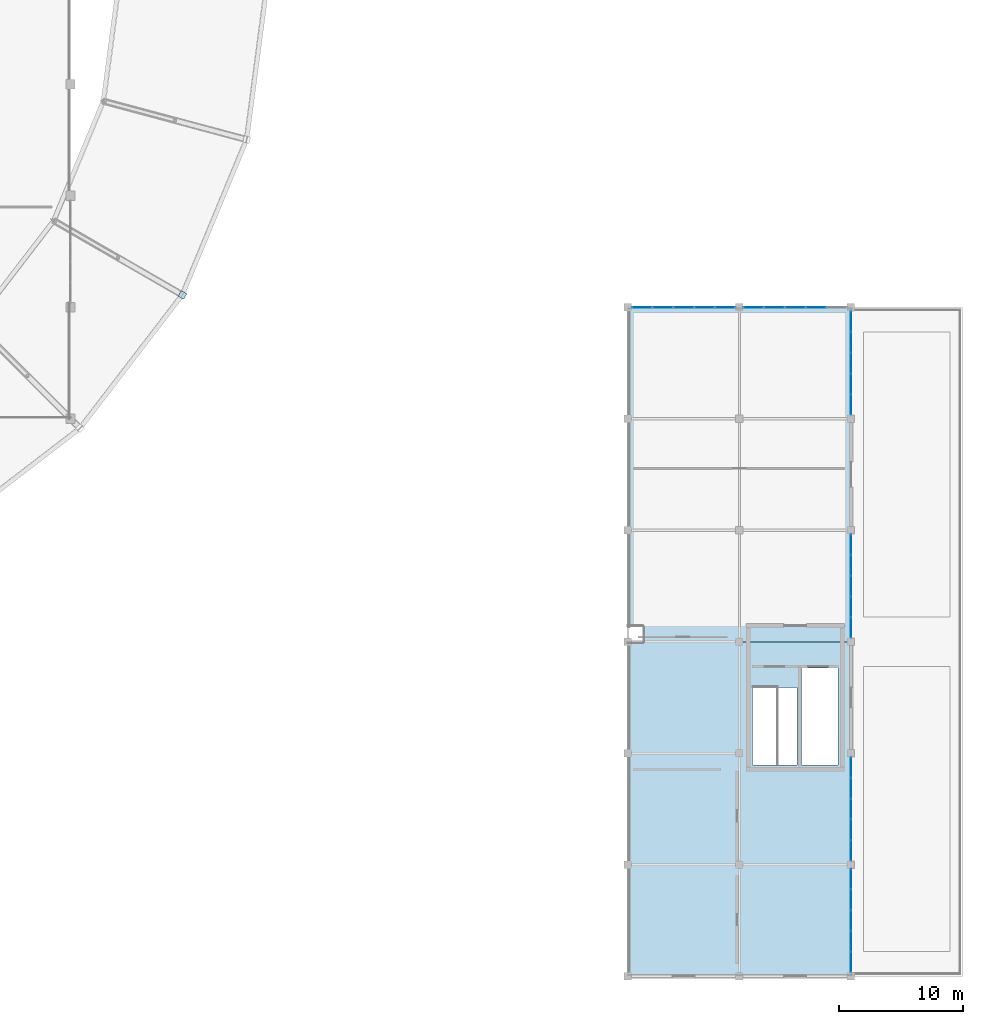
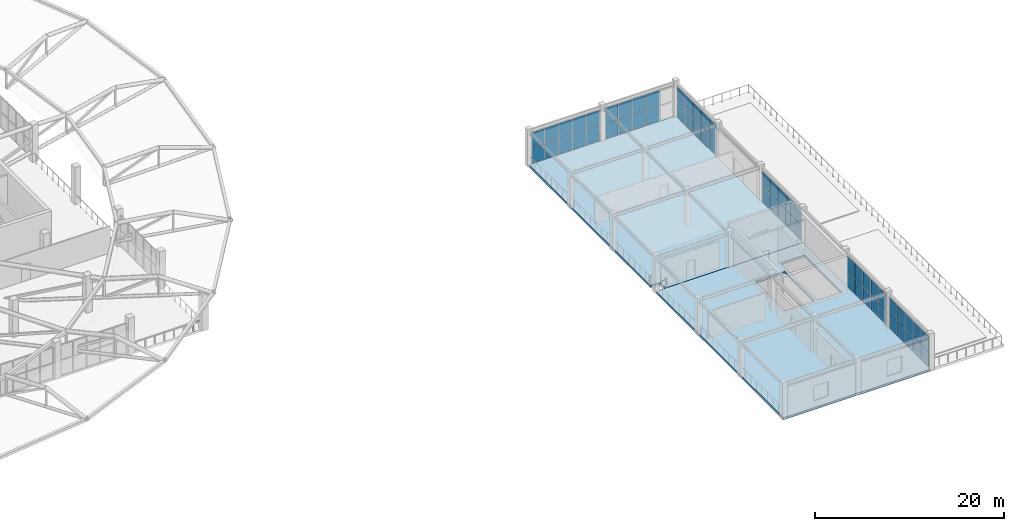
# One storey, part 121 of 167: 59 plates, 2 slabs, 6 elements without a shape of their own.
"""IFC4 building model written with IfcOpenShell, lengths in metres."""

from ifc_helpers import new_model, si_unit, direction, frame, origin, origin_2d, place, context, subcontext, project, spatial, polyline, rectangle, outline, extrude, material, layer, layer_set, type_object, element, aggregate, save


model = new_model("IFC4")

# Units and contexts
model_context = context("Model", 3, precision=1e-05, world=origin(), true_north=direction((0.0, 1.0)))
body_context = subcontext(model_context, "Body", "Model", "MODEL_VIEW")
ifc_project = project(units=[si_unit("LENGTHUNIT", "METRE"), si_unit("AREAUNIT", "SQUARE_METRE"), si_unit("VOLUMEUNIT", "CUBIC_METRE"), si_unit("PLANEANGLEUNIT", "RADIAN"), si_unit("MASSUNIT", "GRAM", prefix="KILO")], contexts=[model_context])

# Site, building, storey
site_placement = place(None, origin())
site = spatial("IfcSite", under=ifc_project, at=site_placement, CompositionType="ELEMENT")
building_placement = place(site_placement, origin())
building = spatial("IfcBuilding", under=site, at=building_placement, Name="Dornveld Trade and Exhibition Forum", CompositionType="ELEMENT")
storey_placement = place(building_placement, frame((0.0, 0.0, 16.800048828125)))
storey = spatial("IfcBuildingStorey", under=building, at=storey_placement, Name="L03", CompositionType="ELEMENT", Elevation=16.800048828125)

# Curtain wall, plates
ifc_material_1 = material(Name="Dark-bronze anodised aluminium and low-E glass", Category="aluminium")
ifc_layer_1 = layer(ifc_material_1, 0.1689453125)
ifc_layer_set_1 = layer_set([ifc_layer_1], Name="Dark-bronze anodised aluminium and low-E glass")
curtain_wall_type_1 = type_object("IfcCurtainWallType", Name="CW-SYS-09", PredefinedType="USERDEFINED", material=ifc_layer_set_1)
curtain_wall_1_placement = place(storey_placement, origin())
curtain_wall_1 = element("IfcCurtainWall", 1, at=curtain_wall_1_placement, inside=storey, type_object=curtain_wall_type_1, Name="L03 unitised curtain wall 81", ObjectType="UNITISED_CURTAIN_WALL", PredefinedType="USERDEFINED")
ifc_material_2 = material(Name="Double-glazed low-E solar control glass", Category="glass")
ifc_layer_2 = layer(ifc_material_2, 0.02587890625)
ifc_layer_set_2 = layer_set([ifc_layer_2], Name="Double-glazed low-E solar control glass")
plate_type_1 = type_object("IfcPlateType", Name="CW-PNL-01", PredefinedType="CURTAIN_PANEL", material=ifc_layer_set_2)
plate_1_placement = place(storey_placement, frame((216.0, 10.15185546875, 0.055908203125), z_axis=(0.0, 0.0, 1.0), x_axis=(0.0, 1.0, 0.0)))
plate_1 = element("IfcPlate", 2, at=plate_1_placement, type_object=plate_type_1, Name="CW-09 panel 1.1", PredefinedType="CURTAIN_PANEL", context=body_context, shape_type="SweptSolid", body=[
    extrude(rectangle(XDim=1.591552734375, YDim=0.02587890625, at=origin_2d()), origin(), (0.0, 0.0, 1.0), 1.94189453125),
])
plate_2_placement = place(storey_placement, frame((216.0, 10.15185546875, 2.05810546875), z_axis=(0.0, 0.0, 1.0), x_axis=(0.0, 1.0, 0.0)))
plate_2 = element("IfcPlate", 3, at=plate_2_placement, type_object=plate_type_1, Name="CW-09 panel 1.2", PredefinedType="CURTAIN_PANEL", context=body_context, shape_type="SweptSolid", body=[
    extrude(rectangle(XDim=1.591552734375, YDim=0.02587890625, at=origin_2d()), origin(), (0.0, 0.0, 1.0), 1.94189453125),
])
plate_3_placement = place(storey_placement, frame((216.0, 11.818359375, 0.055908203125), z_axis=(0.0, 0.0, 1.0), x_axis=(0.0, 1.0, 0.0)))
plate_3 = element("IfcPlate", 4, at=plate_3_placement, type_object=plate_type_1, Name="CW-09 panel 2.1", PredefinedType="CURTAIN_PANEL", context=body_context, shape_type="SweptSolid", body=[
    extrude(rectangle(XDim=1.62158203125, YDim=0.02587890625, at=origin_2d()), origin(), (0.0, 0.0, 1.0), 1.94189453125),
])
plate_4_placement = place(storey_placement, frame((216.0, 11.818359375, 2.05810546875), z_axis=(0.0, 0.0, 1.0), x_axis=(0.0, 1.0, 0.0)))
plate_4 = element("IfcPlate", 5, at=plate_4_placement, type_object=plate_type_1, Name="CW-09 panel 2.2", PredefinedType="CURTAIN_PANEL", context=body_context, shape_type="SweptSolid", body=[
    extrude(rectangle(XDim=1.62158203125, YDim=0.02587890625, at=origin_2d()), origin(), (0.0, 0.0, 1.0), 1.94189453125),
])
plate_5_placement = place(storey_placement, frame((216.0, 13.5, 0.055908203125), z_axis=(0.0, 0.0, 1.0), x_axis=(0.0, 1.0, 0.0)))
plate_5 = element("IfcPlate", 6, at=plate_5_placement, type_object=plate_type_1, Name="CW-09 panel 3.1", PredefinedType="CURTAIN_PANEL", context=body_context, shape_type="SweptSolid", body=[
    extrude(rectangle(XDim=1.62158203125, YDim=0.02587890625, at=origin_2d()), origin(), (0.0, 0.0, 1.0), 1.94189453125),
])
plate_6_placement = place(storey_placement, frame((216.0, 13.5, 2.05810546875), z_axis=(0.0, 0.0, 1.0), x_axis=(0.0, 1.0, 0.0)))
plate_6 = element("IfcPlate", 7, at=plate_6_placement, type_object=plate_type_1, Name="CW-09 panel 3.2", PredefinedType="CURTAIN_PANEL", context=body_context, shape_type="SweptSolid", body=[
    extrude(rectangle(XDim=1.62158203125, YDim=0.02587890625, at=origin_2d()), origin(), (0.0, 0.0, 1.0), 1.94189453125),
])
plate_7_placement = place(storey_placement, frame((216.0, 15.181640625, 0.055908203125), z_axis=(0.0, 0.0, 1.0), x_axis=(0.0, 1.0, 0.0)))
plate_7 = element("IfcPlate", 8, at=plate_7_placement, type_object=plate_type_1, Name="CW-09 panel 4.1", PredefinedType="CURTAIN_PANEL", context=body_context, shape_type="SweptSolid", body=[
    extrude(rectangle(XDim=1.62158203125, YDim=0.02587890625, at=origin_2d()), origin(), (0.0, 0.0, 1.0), 1.94189453125),
])
plate_8_placement = place(storey_placement, frame((216.0, 15.181640625, 2.05810546875), z_axis=(0.0, 0.0, 1.0), x_axis=(0.0, 1.0, 0.0)))
plate_8 = element("IfcPlate", 9, at=plate_8_placement, type_object=plate_type_1, Name="CW-09 panel 4.2", PredefinedType="CURTAIN_PANEL", context=body_context, shape_type="SweptSolid", body=[
    extrude(rectangle(XDim=1.62158203125, YDim=0.02587890625, at=origin_2d()), origin(), (0.0, 0.0, 1.0), 1.94189453125),
])
plate_9_placement = place(storey_placement, frame((216.0, 16.84814453125, 0.055908203125), z_axis=(0.0, 0.0, 1.0), x_axis=(0.0, 1.0, 0.0)))
plate_9 = element("IfcPlate", 10, at=plate_9_placement, type_object=plate_type_1, Name="CW-09 panel 5.1", PredefinedType="CURTAIN_PANEL", context=body_context, shape_type="SweptSolid", body=[
    extrude(rectangle(XDim=1.591552734375, YDim=0.02587890625, at=origin_2d()), origin(), (0.0, 0.0, 1.0), 1.94189453125),
])
plate_10_placement = place(storey_placement, frame((216.0, 16.84814453125, 2.05810546875), z_axis=(0.0, 0.0, 1.0), x_axis=(0.0, 1.0, 0.0)))
plate_10 = element("IfcPlate", 11, at=plate_10_placement, type_object=plate_type_1, Name="CW-09 panel 5.2", PredefinedType="CURTAIN_PANEL", context=body_context, shape_type="SweptSolid", body=[
    extrude(rectangle(XDim=1.591552734375, YDim=0.02587890625, at=origin_2d()), origin(), (0.0, 0.0, 1.0), 1.94189453125),
])
aggregate(curtain_wall_1, [plate_1, plate_2, plate_3, plate_4, plate_5, plate_6, plate_7, plate_8, plate_9, plate_10])

ifc_material_3 = material(Name="Dark-bronze anodised aluminium and low-E glass", Category="aluminium")
ifc_layer_3 = layer(ifc_material_3, 0.172119140625)
ifc_layer_set_3 = layer_set([ifc_layer_3], Name="Dark-bronze anodised aluminium and low-E glass")
curtain_wall_type_2 = type_object("IfcCurtainWallType", Name="CW-SYS-10", PredefinedType="USERDEFINED", material=ifc_layer_set_3)
curtain_wall_2_placement = place(storey_placement, origin())
curtain_wall_2 = element("IfcCurtainWall", 12, at=curtain_wall_2_placement, inside=storey, type_object=curtain_wall_type_2, Name="L03 unitised curtain wall 82", ObjectType="UNITISED_CURTAIN_WALL", PredefinedType="USERDEFINED")
ifc_material_4 = material(Name="Double-glazed low-E solar control glass", Category="glass")
ifc_layer_4 = layer(ifc_material_4, 0.028076171875)
ifc_layer_set_4 = layer_set([ifc_layer_4], Name="Double-glazed low-E solar control glass")
plate_type_2 = type_object("IfcPlateType", Name="CW-PNL-02", PredefinedType="CURTAIN_PANEL", material=ifc_layer_set_4)
plate_11_placement = place(storey_placement, frame((216.0, 28.15185546875, 0.055908203125), z_axis=(0.0, 0.0, 1.0), x_axis=(0.0, 1.0, 0.0)))
plate_11 = element("IfcPlate", 13, at=plate_11_placement, type_object=plate_type_2, Name="CW-10 panel 1.1", PredefinedType="CURTAIN_PANEL", context=body_context, shape_type="SweptSolid", body=[
    extrude(rectangle(XDim=1.591552734375, YDim=0.028076171875, at=origin_2d()), origin(), (0.0, 0.0, 1.0), 1.94189453125),
])
plate_12_placement = place(storey_placement, frame((216.0, 28.15185546875, 2.05810546875), z_axis=(0.0, 0.0, 1.0), x_axis=(0.0, 1.0, 0.0)))
plate_12 = element("IfcPlate", 14, at=plate_12_placement, type_object=plate_type_2, Name="CW-10 panel 1.2", PredefinedType="CURTAIN_PANEL", context=body_context, shape_type="SweptSolid", body=[
    extrude(rectangle(XDim=1.591552734375, YDim=0.028076171875, at=origin_2d()), origin(), (0.0, 0.0, 1.0), 1.94189453125),
])
plate_13_placement = place(storey_placement, frame((216.0, 29.818359375, 0.055908203125), z_axis=(0.0, 0.0, 1.0), x_axis=(0.0, 1.0, 0.0)))
plate_13 = element("IfcPlate", 15, at=plate_13_placement, type_object=plate_type_2, Name="CW-10 panel 2.1", PredefinedType="CURTAIN_PANEL", context=body_context, shape_type="SweptSolid", body=[
    extrude(rectangle(XDim=1.62158203125, YDim=0.028076171875, at=origin_2d()), origin(), (0.0, 0.0, 1.0), 1.94189453125),
])
plate_14_placement = place(storey_placement, frame((216.0, 29.818359375, 2.05810546875), z_axis=(0.0, 0.0, 1.0), x_axis=(0.0, 1.0, 0.0)))
plate_14 = element("IfcPlate", 16, at=plate_14_placement, type_object=plate_type_2, Name="CW-10 panel 2.2", PredefinedType="CURTAIN_PANEL", context=body_context, shape_type="SweptSolid", body=[
    extrude(rectangle(XDim=1.62158203125, YDim=0.028076171875, at=origin_2d()), origin(), (0.0, 0.0, 1.0), 1.94189453125),
])
plate_15_placement = place(storey_placement, frame((216.0, 31.5, 0.055908203125), z_axis=(0.0, 0.0, 1.0), x_axis=(0.0, 1.0, 0.0)))
plate_15 = element("IfcPlate", 17, at=plate_15_placement, type_object=plate_type_2, Name="CW-10 panel 3.1", PredefinedType="CURTAIN_PANEL", context=body_context, shape_type="SweptSolid", body=[
    extrude(rectangle(XDim=1.62158203125, YDim=0.028076171875, at=origin_2d()), origin(), (0.0, 0.0, 1.0), 1.94189453125),
])
plate_16_placement = place(storey_placement, frame((216.0, 31.5, 2.05810546875), z_axis=(0.0, 0.0, 1.0), x_axis=(0.0, 1.0, 0.0)))
plate_16 = element("IfcPlate", 18, at=plate_16_placement, type_object=plate_type_2, Name="CW-10 panel 3.2", PredefinedType="CURTAIN_PANEL", context=body_context, shape_type="SweptSolid", body=[
    extrude(rectangle(XDim=1.62158203125, YDim=0.028076171875, at=origin_2d()), origin(), (0.0, 0.0, 1.0), 1.94189453125),
])
plate_17_placement = place(storey_placement, frame((216.0, 33.181640625, 0.055908203125), z_axis=(0.0, 0.0, 1.0), x_axis=(0.0, 1.0, 0.0)))
plate_17 = element("IfcPlate", 19, at=plate_17_placement, type_object=plate_type_2, Name="CW-10 panel 4.1", PredefinedType="CURTAIN_PANEL", context=body_context, shape_type="SweptSolid", body=[
    extrude(rectangle(XDim=1.62158203125, YDim=0.028076171875, at=origin_2d()), origin(), (0.0, 0.0, 1.0), 1.94189453125),
])
plate_18_placement = place(storey_placement, frame((216.0, 33.181640625, 2.05810546875), z_axis=(0.0, 0.0, 1.0), x_axis=(0.0, 1.0, 0.0)))
plate_18 = element("IfcPlate", 20, at=plate_18_placement, type_object=plate_type_2, Name="CW-10 panel 4.2", PredefinedType="CURTAIN_PANEL", context=body_context, shape_type="SweptSolid", body=[
    extrude(rectangle(XDim=1.62158203125, YDim=0.028076171875, at=origin_2d()), origin(), (0.0, 0.0, 1.0), 1.94189453125),
])
plate_19_placement = place(storey_placement, frame((216.0, 34.84814453125, 0.055908203125), z_axis=(0.0, 0.0, 1.0), x_axis=(0.0, 1.0, 0.0)))
plate_19 = element("IfcPlate", 21, at=plate_19_placement, type_object=plate_type_2, Name="CW-10 panel 5.1", PredefinedType="CURTAIN_PANEL", context=body_context, shape_type="SweptSolid", body=[
    extrude(rectangle(XDim=1.591552734375, YDim=0.028076171875, at=origin_2d()), origin(), (0.0, 0.0, 1.0), 1.94189453125),
])
plate_20_placement = place(storey_placement, frame((216.0, 34.84814453125, 2.05810546875), z_axis=(0.0, 0.0, 1.0), x_axis=(0.0, 1.0, 0.0)))
plate_20 = element("IfcPlate", 22, at=plate_20_placement, type_object=plate_type_2, Name="CW-10 panel 5.2", PredefinedType="CURTAIN_PANEL", context=body_context, shape_type="SweptSolid", body=[
    extrude(rectangle(XDim=1.591552734375, YDim=0.028076171875, at=origin_2d()), origin(), (0.0, 0.0, 1.0), 1.94189453125),
])
aggregate(curtain_wall_2, [plate_11, plate_12, plate_13, plate_14, plate_15, plate_16, plate_17, plate_18, plate_19, plate_20])

ifc_material_5 = material(Name="Dark-bronze anodised aluminium and low-E glass", Category="aluminium")
ifc_layer_5 = layer(ifc_material_5, 0.175048828125)
ifc_layer_set_5 = layer_set([ifc_layer_5], Name="Dark-bronze anodised aluminium and low-E glass")
curtain_wall_type_3 = type_object("IfcCurtainWallType", Name="CW-SYS-11", PredefinedType="USERDEFINED", material=ifc_layer_set_5)
curtain_wall_3_placement = place(storey_placement, origin())
curtain_wall_3 = element("IfcCurtainWall", 23, at=curtain_wall_3_placement, inside=storey, type_object=curtain_wall_type_3, Name="L03 unitised curtain wall 83", ObjectType="UNITISED_CURTAIN_WALL", PredefinedType="USERDEFINED")
ifc_material_6 = material(Name="Double-glazed low-E solar control glass", Category="glass")
ifc_layer_6 = layer(ifc_material_6, 0.030029296875)
ifc_layer_set_6 = layer_set([ifc_layer_6], Name="Double-glazed low-E solar control glass")
plate_type_3 = type_object("IfcPlateType", Name="CW-PNL-03", PredefinedType="CURTAIN_PANEL", material=ifc_layer_set_6)
plate_21_placement = place(storey_placement, frame((216.0, 46.15185546875, 0.055908203125), z_axis=(0.0, 0.0, 1.0), x_axis=(0.0, 1.0, 0.0)))
plate_21 = element("IfcPlate", 24, at=plate_21_placement, type_object=plate_type_3, Name="CW-11 panel 1.1", PredefinedType="CURTAIN_PANEL", context=body_context, shape_type="SweptSolid", body=[
    extrude(rectangle(XDim=1.591552734375, YDim=0.030029296875, at=origin_2d()), origin(), (0.0, 0.0, 1.0), 1.94189453125),
])
plate_22_placement = place(storey_placement, frame((216.0, 46.15185546875, 2.05810546875), z_axis=(0.0, 0.0, 1.0), x_axis=(0.0, 1.0, 0.0)))
plate_22 = element("IfcPlate", 25, at=plate_22_placement, type_object=plate_type_3, Name="CW-11 panel 1.2", PredefinedType="CURTAIN_PANEL", context=body_context, shape_type="SweptSolid", body=[
    extrude(rectangle(XDim=1.591552734375, YDim=0.030029296875, at=origin_2d()), origin(), (0.0, 0.0, 1.0), 1.94189453125),
])
plate_23_placement = place(storey_placement, frame((216.0, 47.818359375, 0.055908203125), z_axis=(0.0, 0.0, 1.0), x_axis=(0.0, 1.0, 0.0)))
plate_23 = element("IfcPlate", 26, at=plate_23_placement, type_object=plate_type_3, Name="CW-11 panel 2.1", PredefinedType="CURTAIN_PANEL", context=body_context, shape_type="SweptSolid", body=[
    extrude(rectangle(XDim=1.62158203125, YDim=0.030029296875, at=origin_2d()), origin(), (0.0, 0.0, 1.0), 1.94189453125),
])
plate_24_placement = place(storey_placement, frame((216.0, 47.818359375, 2.05810546875), z_axis=(0.0, 0.0, 1.0), x_axis=(0.0, 1.0, 0.0)))
plate_24 = element("IfcPlate", 27, at=plate_24_placement, type_object=plate_type_3, Name="CW-11 panel 2.2", PredefinedType="CURTAIN_PANEL", context=body_context, shape_type="SweptSolid", body=[
    extrude(rectangle(XDim=1.62158203125, YDim=0.030029296875, at=origin_2d()), origin(), (0.0, 0.0, 1.0), 1.94189453125),
])
plate_25_placement = place(storey_placement, frame((216.0, 49.5, 0.055908203125), z_axis=(0.0, 0.0, 1.0), x_axis=(0.0, 1.0, 0.0)))
plate_25 = element("IfcPlate", 28, at=plate_25_placement, type_object=plate_type_3, Name="CW-11 panel 3.1", PredefinedType="CURTAIN_PANEL", context=body_context, shape_type="SweptSolid", body=[
    extrude(rectangle(XDim=1.62158203125, YDim=0.030029296875, at=origin_2d()), origin(), (0.0, 0.0, 1.0), 1.94189453125),
])
plate_26_placement = place(storey_placement, frame((216.0, 49.5, 2.05810546875), z_axis=(0.0, 0.0, 1.0), x_axis=(0.0, 1.0, 0.0)))
plate_26 = element("IfcPlate", 29, at=plate_26_placement, type_object=plate_type_3, Name="CW-11 panel 3.2", PredefinedType="CURTAIN_PANEL", context=body_context, shape_type="SweptSolid", body=[
    extrude(rectangle(XDim=1.62158203125, YDim=0.030029296875, at=origin_2d()), origin(), (0.0, 0.0, 1.0), 1.94189453125),
])
plate_27_placement = place(storey_placement, frame((216.0, 51.181640625, 0.055908203125), z_axis=(0.0, 0.0, 1.0), x_axis=(0.0, 1.0, 0.0)))
plate_27 = element("IfcPlate", 30, at=plate_27_placement, type_object=plate_type_3, Name="CW-11 panel 4.1", PredefinedType="CURTAIN_PANEL", context=body_context, shape_type="SweptSolid", body=[
    extrude(rectangle(XDim=1.62158203125, YDim=0.030029296875, at=origin_2d()), origin(), (0.0, 0.0, 1.0), 1.94189453125),
])
plate_28_placement = place(storey_placement, frame((216.0, 51.181640625, 2.05810546875), z_axis=(0.0, 0.0, 1.0), x_axis=(0.0, 1.0, 0.0)))
plate_28 = element("IfcPlate", 31, at=plate_28_placement, type_object=plate_type_3, Name="CW-11 panel 4.2", PredefinedType="CURTAIN_PANEL", context=body_context, shape_type="SweptSolid", body=[
    extrude(rectangle(XDim=1.62158203125, YDim=0.030029296875, at=origin_2d()), origin(), (0.0, 0.0, 1.0), 1.94189453125),
])
plate_29_placement = place(storey_placement, frame((216.0, 52.84814453125, 0.055908203125), z_axis=(0.0, 0.0, 1.0), x_axis=(0.0, 1.0, 0.0)))
plate_29 = element("IfcPlate", 32, at=plate_29_placement, type_object=plate_type_3, Name="CW-11 panel 5.1", PredefinedType="CURTAIN_PANEL", context=body_context, shape_type="SweptSolid", body=[
    extrude(rectangle(XDim=1.591552734375, YDim=0.030029296875, at=origin_2d()), origin(), (0.0, 0.0, 1.0), 1.94189453125),
])
plate_30_placement = place(storey_placement, frame((216.0, 52.84814453125, 2.05810546875), z_axis=(0.0, 0.0, 1.0), x_axis=(0.0, 1.0, 0.0)))
plate_30 = element("IfcPlate", 33, at=plate_30_placement, type_object=plate_type_3, Name="CW-11 panel 5.2", PredefinedType="CURTAIN_PANEL", context=body_context, shape_type="SweptSolid", body=[
    extrude(rectangle(XDim=1.591552734375, YDim=0.030029296875, at=origin_2d()), origin(), (0.0, 0.0, 1.0), 1.94189453125),
])
aggregate(curtain_wall_3, [plate_21, plate_22, plate_23, plate_24, plate_25, plate_26, plate_27, plate_28, plate_29, plate_30])

ifc_material_7 = material(Name="Dark-bronze anodised aluminium and low-E glass", Category="aluminium")
ifc_layer_7 = layer(ifc_material_7, 0.154052734375)
ifc_layer_set_7 = layer_set([ifc_layer_7], Name="Dark-bronze anodised aluminium and low-E glass")
curtain_wall_type_4 = type_object("IfcCurtainWallType", Name="CW-SYS-04", PredefinedType="USERDEFINED", material=ifc_layer_set_7)
curtain_wall_4_placement = place(storey_placement, origin())
curtain_wall_4 = element("IfcCurtainWall", 34, at=curtain_wall_4_placement, inside=storey, type_object=curtain_wall_type_4, Name="L03 unitised curtain wall 94", ObjectType="UNITISED_CURTAIN_WALL", PredefinedType="USERDEFINED")
ifc_material_8 = material(Name="Double-glazed low-E solar control glass", Category="glass")
ifc_layer_8 = layer(ifc_material_8, 0.035888671875)
ifc_layer_set_8 = layer_set([ifc_layer_8], Name="Double-glazed low-E solar control glass")
plate_type_4 = type_object("IfcPlateType", Name="CW-PNL-06", PredefinedType="CURTAIN_PANEL", material=ifc_layer_set_8)
plate_31_placement = place(storey_placement, frame((205.84814453125, 54.0, 0.055908203125), z_axis=(0.0, 0.0, 1.0), x_axis=(-1.0, 0.0, 0.0)))
plate_31 = element("IfcPlate", 35, at=plate_31_placement, type_object=plate_type_4, Name="CW-04 panel 1.1", PredefinedType="CURTAIN_PANEL", context=body_context, shape_type="SweptSolid", body=[
    extrude(rectangle(XDim=1.591552734375, YDim=0.035888671875, at=origin_2d()), origin(), (0.0, 0.0, 1.0), 1.94189453125),
])
plate_32_placement = place(storey_placement, frame((205.84814453125, 54.0, 2.05810546875), z_axis=(0.0, 0.0, 1.0), x_axis=(-1.0, 0.0, 0.0)))
plate_32 = element("IfcPlate", 36, at=plate_32_placement, type_object=plate_type_4, Name="CW-04 panel 1.2", PredefinedType="CURTAIN_PANEL", context=body_context, shape_type="SweptSolid", body=[
    extrude(rectangle(XDim=1.591552734375, YDim=0.035888671875, at=origin_2d()), origin(), (0.0, 0.0, 1.0), 1.94189453125),
])
plate_33_placement = place(storey_placement, frame((204.181640625, 54.0, 0.055908203125), z_axis=(0.0, 0.0, 1.0), x_axis=(-1.0, 0.0, 0.0)))
plate_33 = element("IfcPlate", 37, at=plate_33_placement, type_object=plate_type_4, Name="CW-04 panel 2.1", PredefinedType="CURTAIN_PANEL", context=body_context, shape_type="SweptSolid", body=[
    extrude(rectangle(XDim=1.62158203125, YDim=0.035888671875, at=origin_2d()), origin(), (0.0, 0.0, 1.0), 1.94189453125),
])
plate_34_placement = place(storey_placement, frame((204.181640625, 54.0, 2.05810546875), z_axis=(0.0, 0.0, 1.0), x_axis=(-1.0, 0.0, 0.0)))
plate_34 = element("IfcPlate", 38, at=plate_34_placement, type_object=plate_type_4, Name="CW-04 panel 2.2", PredefinedType="CURTAIN_PANEL", context=body_context, shape_type="SweptSolid", body=[
    extrude(rectangle(XDim=1.62158203125, YDim=0.035888671875, at=origin_2d()), origin(), (0.0, 0.0, 1.0), 1.94189453125),
])
plate_35_placement = place(storey_placement, frame((202.5, 54.0, 0.055908203125), z_axis=(0.0, 0.0, 1.0), x_axis=(-1.0, 0.0, 0.0)))
plate_35 = element("IfcPlate", 39, at=plate_35_placement, type_object=plate_type_4, Name="CW-04 panel 3.1", PredefinedType="CURTAIN_PANEL", context=body_context, shape_type="SweptSolid", body=[
    extrude(rectangle(XDim=1.62158203125, YDim=0.035888671875, at=origin_2d()), origin(), (0.0, 0.0, 1.0), 1.94189453125),
])
plate_36_placement = place(storey_placement, frame((202.5, 54.0, 2.05810546875), z_axis=(0.0, 0.0, 1.0), x_axis=(-1.0, 0.0, 0.0)))
plate_36 = element("IfcPlate", 40, at=plate_36_placement, type_object=plate_type_4, Name="CW-04 panel 3.2", PredefinedType="CURTAIN_PANEL", context=body_context, shape_type="SweptSolid", body=[
    extrude(rectangle(XDim=1.62158203125, YDim=0.035888671875, at=origin_2d()), origin(), (0.0, 0.0, 1.0), 1.94189453125),
])
plate_37_placement = place(storey_placement, frame((200.818359375, 54.0, 0.055908203125), z_axis=(0.0, 0.0, 1.0), x_axis=(-1.0, 0.0, 0.0)))
plate_37 = element("IfcPlate", 41, at=plate_37_placement, type_object=plate_type_4, Name="CW-04 panel 4.1", PredefinedType="CURTAIN_PANEL", context=body_context, shape_type="SweptSolid", body=[
    extrude(rectangle(XDim=1.62158203125, YDim=0.035888671875, at=origin_2d()), origin(), (0.0, 0.0, 1.0), 1.94189453125),
])
plate_38_placement = place(storey_placement, frame((200.818359375, 54.0, 2.05810546875), z_axis=(0.0, 0.0, 1.0), x_axis=(-1.0, 0.0, 0.0)))
plate_38 = element("IfcPlate", 42, at=plate_38_placement, type_object=plate_type_4, Name="CW-04 panel 4.2", PredefinedType="CURTAIN_PANEL", context=body_context, shape_type="SweptSolid", body=[
    extrude(rectangle(XDim=1.62158203125, YDim=0.035888671875, at=origin_2d()), origin(), (0.0, 0.0, 1.0), 1.94189453125),
])
plate_39_placement = place(storey_placement, frame((199.15185546875, 54.0, 0.055908203125), z_axis=(0.0, 0.0, 1.0), x_axis=(-1.0, 0.0, 0.0)))
plate_39 = element("IfcPlate", 43, at=plate_39_placement, type_object=plate_type_4, Name="CW-04 panel 5.1", PredefinedType="CURTAIN_PANEL", context=body_context, shape_type="SweptSolid", body=[
    extrude(rectangle(XDim=1.591552734375, YDim=0.035888671875, at=origin_2d()), origin(), (0.0, 0.0, 1.0), 1.94189453125),
])
plate_40_placement = place(storey_placement, frame((199.15185546875, 54.0, 2.05810546875), z_axis=(0.0, 0.0, 1.0), x_axis=(-1.0, 0.0, 0.0)))
plate_40 = element("IfcPlate", 44, at=plate_40_placement, type_object=plate_type_4, Name="CW-04 panel 5.2", PredefinedType="CURTAIN_PANEL", context=body_context, shape_type="SweptSolid", body=[
    extrude(rectangle(XDim=1.591552734375, YDim=0.035888671875, at=origin_2d()), origin(), (0.0, 0.0, 1.0), 1.94189453125),
])
aggregate(curtain_wall_4, [plate_31, plate_32, plate_33, plate_34, plate_35, plate_36, plate_37, plate_38, plate_39, plate_40])

ifc_material_9 = material(Name="Dark-bronze anodised aluminium and low-E glass", Category="aluminium")
ifc_layer_9 = layer(ifc_material_9, 0.156982421875)
ifc_layer_set_9 = layer_set([ifc_layer_9], Name="Dark-bronze anodised aluminium and low-E glass")
curtain_wall_type_5 = type_object("IfcCurtainWallType", Name="CW-SYS-05", PredefinedType="USERDEFINED", material=ifc_layer_set_9)
curtain_wall_5_placement = place(storey_placement, origin())
curtain_wall_5 = element("IfcCurtainWall", 45, at=curtain_wall_5_placement, inside=storey, type_object=curtain_wall_type_5, Name="L03 unitised curtain wall 95", ObjectType="UNITISED_CURTAIN_WALL", PredefinedType="USERDEFINED")
ifc_material_10 = material(Name="Double-glazed low-E solar control glass", Category="glass")
ifc_layer_10 = layer(ifc_material_10, 0.0380859375)
ifc_layer_set_10 = layer_set([ifc_layer_10], Name="Double-glazed low-E solar control glass")
plate_type_5 = type_object("IfcPlateType", Name="CW-PNL-07", PredefinedType="CURTAIN_PANEL", material=ifc_layer_set_10)
plate_41_placement = place(storey_placement, frame((213.181640625, 54.0, 0.055908203125), z_axis=(0.0, 0.0, 1.0), x_axis=(-1.0, 0.0, 0.0)))
plate_41 = element("IfcPlate", 46, at=plate_41_placement, type_object=plate_type_5, Name="CW-05 panel 2.1", PredefinedType="CURTAIN_PANEL", context=body_context, shape_type="SweptSolid", body=[
    extrude(rectangle(XDim=1.62158203125, YDim=0.0380859375, at=origin_2d()), origin(), (0.0, 0.0, 1.0), 1.94189453125),
])
plate_42_placement = place(storey_placement, frame((213.181640625, 54.0, 2.05810546875), z_axis=(0.0, 0.0, 1.0), x_axis=(-1.0, 0.0, 0.0)))
plate_42 = element("IfcPlate", 47, at=plate_42_placement, type_object=plate_type_5, Name="CW-05 panel 2.2", PredefinedType="CURTAIN_PANEL", context=body_context, shape_type="SweptSolid", body=[
    extrude(rectangle(XDim=1.62158203125, YDim=0.0380859375, at=origin_2d()), origin(), (0.0, 0.0, 1.0), 1.94189453125),
])
plate_43_placement = place(storey_placement, frame((211.5, 54.0, 0.055908203125), z_axis=(0.0, 0.0, 1.0), x_axis=(-1.0, 0.0, 0.0)))
plate_43 = element("IfcPlate", 48, at=plate_43_placement, type_object=plate_type_5, Name="CW-05 panel 3.1", PredefinedType="CURTAIN_PANEL", context=body_context, shape_type="SweptSolid", body=[
    extrude(rectangle(XDim=1.62158203125, YDim=0.0380859375, at=origin_2d()), origin(), (0.0, 0.0, 1.0), 1.94189453125),
])
plate_44_placement = place(storey_placement, frame((211.5, 54.0, 2.05810546875), z_axis=(0.0, 0.0, 1.0), x_axis=(-1.0, 0.0, 0.0)))
plate_44 = element("IfcPlate", 49, at=plate_44_placement, type_object=plate_type_5, Name="CW-05 panel 3.2", PredefinedType="CURTAIN_PANEL", context=body_context, shape_type="SweptSolid", body=[
    extrude(rectangle(XDim=1.62158203125, YDim=0.0380859375, at=origin_2d()), origin(), (0.0, 0.0, 1.0), 1.94189453125),
])
plate_45_placement = place(storey_placement, frame((209.818359375, 54.0, 0.055908203125), z_axis=(0.0, 0.0, 1.0), x_axis=(-1.0, 0.0, 0.0)))
plate_45 = element("IfcPlate", 50, at=plate_45_placement, type_object=plate_type_5, Name="CW-05 panel 4.1", PredefinedType="CURTAIN_PANEL", context=body_context, shape_type="SweptSolid", body=[
    extrude(rectangle(XDim=1.62158203125, YDim=0.0380859375, at=origin_2d()), origin(), (0.0, 0.0, 1.0), 1.94189453125),
])
plate_46_placement = place(storey_placement, frame((209.818359375, 54.0, 2.05810546875), z_axis=(0.0, 0.0, 1.0), x_axis=(-1.0, 0.0, 0.0)))
plate_46 = element("IfcPlate", 51, at=plate_46_placement, type_object=plate_type_5, Name="CW-05 panel 4.2", PredefinedType="CURTAIN_PANEL", context=body_context, shape_type="SweptSolid", body=[
    extrude(rectangle(XDim=1.62158203125, YDim=0.0380859375, at=origin_2d()), origin(), (0.0, 0.0, 1.0), 1.94189453125),
])
plate_47_placement = place(storey_placement, frame((208.15185546875, 54.0, 0.055908203125), z_axis=(0.0, 0.0, 1.0), x_axis=(-1.0, 0.0, 0.0)))
plate_47 = element("IfcPlate", 52, at=plate_47_placement, type_object=plate_type_5, Name="CW-05 panel 5.1", PredefinedType="CURTAIN_PANEL", context=body_context, shape_type="SweptSolid", body=[
    extrude(rectangle(XDim=1.591552734375, YDim=0.0380859375, at=origin_2d()), origin(), (0.0, 0.0, 1.0), 1.94189453125),
])
plate_48_placement = place(storey_placement, frame((208.15185546875, 54.0, 2.05810546875), z_axis=(0.0, 0.0, 1.0), x_axis=(-1.0, 0.0, 0.0)))
plate_48 = element("IfcPlate", 53, at=plate_48_placement, type_object=plate_type_5, Name="CW-05 panel 5.2", PredefinedType="CURTAIN_PANEL", context=body_context, shape_type="SweptSolid", body=[
    extrude(rectangle(XDim=1.591552734375, YDim=0.0380859375, at=origin_2d()), origin(), (0.0, 0.0, 1.0), 1.94189453125),
])
aggregate(curtain_wall_5, [plate_41, plate_42, plate_43, plate_44, plate_45, plate_46, plate_47, plate_48])

ifc_material_11 = material(Name="Dark-bronze anodised aluminium and low-E glass", Category="aluminium")
ifc_layer_11 = layer(ifc_material_11, 0.166015625)
ifc_layer_set_11 = layer_set([ifc_layer_11], Name="Dark-bronze anodised aluminium and low-E glass")
curtain_wall_type_6 = type_object("IfcCurtainWallType", Name="CW-SYS-08", PredefinedType="USERDEFINED", material=ifc_layer_set_11)
curtain_wall_6_placement = place(storey_placement, origin())
curtain_wall_6 = element("IfcCurtainWall", 54, at=curtain_wall_6_placement, inside=storey, type_object=curtain_wall_type_6, Name="L03 unitised curtain wall 80", ObjectType="UNITISED_CURTAIN_WALL", PredefinedType="USERDEFINED")
ifc_material_12 = material(Name="Double-glazed low-E solar control glass", Category="glass")
ifc_layer_12 = layer(ifc_material_12, 0.0400390625)
ifc_layer_set_12 = layer_set([ifc_layer_12], Name="Double-glazed low-E solar control glass")
plate_type_6 = type_object("IfcPlateType", Name="CW-PNL-08", PredefinedType="CURTAIN_PANEL", material=ifc_layer_set_12)
plate_49_placement = place(storey_placement, frame((216.0, 1.15185546875, 0.055908203125), z_axis=(0.0, 0.0, 1.0), x_axis=(0.0, 1.0, 0.0)))
plate_49 = element("IfcPlate", 55, at=plate_49_placement, type_object=plate_type_6, Name="CW-08 panel 1.1", PredefinedType="CURTAIN_PANEL", context=body_context, shape_type="SweptSolid", body=[
    extrude(rectangle(XDim=1.591552734375, YDim=0.0400390625, at=origin_2d()), origin(), (0.0, 0.0, 1.0), 1.94189453125),
])
plate_50_placement = place(storey_placement, frame((216.0, 1.15185546875, 2.05810546875), z_axis=(0.0, 0.0, 1.0), x_axis=(0.0, 1.0, 0.0)))
plate_50 = element("IfcPlate", 56, at=plate_50_placement, type_object=plate_type_6, Name="CW-08 panel 1.2", PredefinedType="CURTAIN_PANEL", context=body_context, shape_type="SweptSolid", body=[
    extrude(rectangle(XDim=1.591552734375, YDim=0.0400390625, at=origin_2d()), origin(), (0.0, 0.0, 1.0), 1.94189453125),
])
plate_51_placement = place(storey_placement, frame((216.0, 2.818359375, 0.055908203125), z_axis=(0.0, 0.0, 1.0), x_axis=(0.0, 1.0, 0.0)))
plate_51 = element("IfcPlate", 57, at=plate_51_placement, type_object=plate_type_6, Name="CW-08 panel 2.1", PredefinedType="CURTAIN_PANEL", context=body_context, shape_type="SweptSolid", body=[
    extrude(rectangle(XDim=1.62158203125, YDim=0.0400390625, at=origin_2d()), origin(), (0.0, 0.0, 1.0), 1.94189453125),
])
plate_52_placement = place(storey_placement, frame((216.0, 2.818359375, 2.05810546875), z_axis=(0.0, 0.0, 1.0), x_axis=(0.0, 1.0, 0.0)))
plate_52 = element("IfcPlate", 58, at=plate_52_placement, type_object=plate_type_6, Name="CW-08 panel 2.2", PredefinedType="CURTAIN_PANEL", context=body_context, shape_type="SweptSolid", body=[
    extrude(rectangle(XDim=1.62158203125, YDim=0.0400390625, at=origin_2d()), origin(), (0.0, 0.0, 1.0), 1.94189453125),
])
plate_53_placement = place(storey_placement, frame((216.0, 4.5, 0.055908203125), z_axis=(0.0, 0.0, 1.0), x_axis=(0.0, 1.0, 0.0)))
plate_53 = element("IfcPlate", 59, at=plate_53_placement, type_object=plate_type_6, Name="CW-08 panel 3.1", PredefinedType="CURTAIN_PANEL", context=body_context, shape_type="SweptSolid", body=[
    extrude(rectangle(XDim=1.62158203125, YDim=0.0400390625, at=origin_2d()), origin(), (0.0, 0.0, 1.0), 1.94189453125),
])
plate_54_placement = place(storey_placement, frame((216.0, 4.5, 2.05810546875), z_axis=(0.0, 0.0, 1.0), x_axis=(0.0, 1.0, 0.0)))
plate_54 = element("IfcPlate", 60, at=plate_54_placement, type_object=plate_type_6, Name="CW-08 panel 3.2", PredefinedType="CURTAIN_PANEL", context=body_context, shape_type="SweptSolid", body=[
    extrude(rectangle(XDim=1.62158203125, YDim=0.0400390625, at=origin_2d()), origin(), (0.0, 0.0, 1.0), 1.94189453125),
])
plate_55_placement = place(storey_placement, frame((216.0, 6.181640625, 0.055908203125), z_axis=(0.0, 0.0, 1.0), x_axis=(0.0, 1.0, 0.0)))
plate_55 = element("IfcPlate", 61, at=plate_55_placement, type_object=plate_type_6, Name="CW-08 panel 4.1", PredefinedType="CURTAIN_PANEL", context=body_context, shape_type="SweptSolid", body=[
    extrude(rectangle(XDim=1.62158203125, YDim=0.0400390625, at=origin_2d()), origin(), (0.0, 0.0, 1.0), 1.94189453125),
])
plate_56_placement = place(storey_placement, frame((216.0, 6.181640625, 2.05810546875), z_axis=(0.0, 0.0, 1.0), x_axis=(0.0, 1.0, 0.0)))
plate_56 = element("IfcPlate", 62, at=plate_56_placement, type_object=plate_type_6, Name="CW-08 panel 4.2", PredefinedType="CURTAIN_PANEL", context=body_context, shape_type="SweptSolid", body=[
    extrude(rectangle(XDim=1.62158203125, YDim=0.0400390625, at=origin_2d()), origin(), (0.0, 0.0, 1.0), 1.94189453125),
])
plate_57_placement = place(storey_placement, frame((216.0, 7.84814453125, 0.055908203125), z_axis=(0.0, 0.0, 1.0), x_axis=(0.0, 1.0, 0.0)))
plate_57 = element("IfcPlate", 63, at=plate_57_placement, type_object=plate_type_6, Name="CW-08 panel 5.1", PredefinedType="CURTAIN_PANEL", context=body_context, shape_type="SweptSolid", body=[
    extrude(rectangle(XDim=1.591552734375, YDim=0.0400390625, at=origin_2d()), origin(), (0.0, 0.0, 1.0), 1.94189453125),
])
plate_58_placement = place(storey_placement, frame((216.0, 7.84814453125, 2.05810546875), z_axis=(0.0, 0.0, 1.0), x_axis=(0.0, 1.0, 0.0)))
plate_58 = element("IfcPlate", 64, at=plate_58_placement, type_object=plate_type_6, Name="CW-08 panel 5.2", PredefinedType="CURTAIN_PANEL", context=body_context, shape_type="SweptSolid", body=[
    extrude(rectangle(XDim=1.591552734375, YDim=0.0400390625, at=origin_2d()), origin(), (0.0, 0.0, 1.0), 1.94189453125),
])
aggregate(curtain_wall_6, [plate_49, plate_50, plate_51, plate_52, plate_53, plate_54, plate_55, plate_56, plate_57, plate_58])

# Plate
ifc_material_13 = material(Name="Steel S355J2", Category="steel")
ifc_layer_13 = layer(ifc_material_13, 0.02001953125)
ifc_layer_set_13 = layer_set([ifc_layer_13], Name="Steel S355J2")
plate_type_7 = type_object("IfcPlateType", Name="PL-CAP-520x20", PredefinedType="SHEET", material=ifc_layer_set_13)
plate_59_placement = place(storey_placement, frame((162.033203125, 55.0, 4.7900390625), z_axis=(0.0, 0.0, 1.0), x_axis=(0.866025403784, -0.5, 0.0)))
element("IfcPlate", 65, at=plate_59_placement, inside=storey, type_object=plate_type_7, Name="Floating disc tip closure plate 23", PredefinedType="SHEET", context=body_context, shape_type="SweptSolid", body=[
    extrude(rectangle(XDim=0.52001953125, YDim=0.52001953125, at=origin_2d()), origin(), (0.0, 0.0, 1.0), 0.02001953125),
])

# Slabs
ifc_material_14 = material(Name="Precast concrete C50/60", Category="concrete")
ifc_layer_14 = layer(ifc_material_14, 0.260009765625)
ifc_layer_set_14 = layer_set([ifc_layer_14], Name="Precast concrete C50/60")
slab_type = type_object("IfcSlabType", Name="SL-OFF-260", PredefinedType="FLOOR", material=ifc_layer_set_14)
slab_1_placement = place(storey_placement, frame((0.0, 0.0, -0.280029296875)))
element("IfcSlab", 66, at=slab_1_placement, inside=storey, type_object=slab_type, Name="L03 structural slab panel 70", PredefinedType="FLOOR", context=body_context, shape_type="SweptSolid", body=[
    extrude(outline(polyline([(198.0, 0.0), (216.0, 0.0), (216.0, 27.0), (198.0, 27.0), (198.0, 0.0)]), holes=[polyline([(208.050048828125, 17.050048828125), (211.64990234375, 17.050048828125), (211.64990234375, 23.330078125), (208.050048828125, 23.330078125), (208.050048828125, 17.050048828125)]), polyline([(212.0, 17.050048828125), (214.949951171875, 17.050048828125), (214.949951171875, 24.89990234375), (212.0, 24.89990234375), (212.0, 17.050048828125)])]), origin(), (0.0, 0.0, 1.0), 0.280029296875),
])
slab_2_placement = place(storey_placement, frame((0.0, 0.0, -0.280029296875)))
element("IfcSlab", 67, at=slab_2_placement, inside=storey, type_object=slab_type, Name="L03 structural slab panel 71", PredefinedType="FLOOR", context=body_context, shape_type="SweptSolid", body=[
    extrude(outline(polyline([(199.199951171875, 27.0), (216.0, 27.0), (216.0, 54.0), (198.0, 54.0), (198.0, 28.199951171875), (199.199951171875, 28.199951171875), (199.199951171875, 27.0)])), origin(), (0.0, 0.0, 1.0), 0.280029296875),
])

save(model, "model.ifc")
